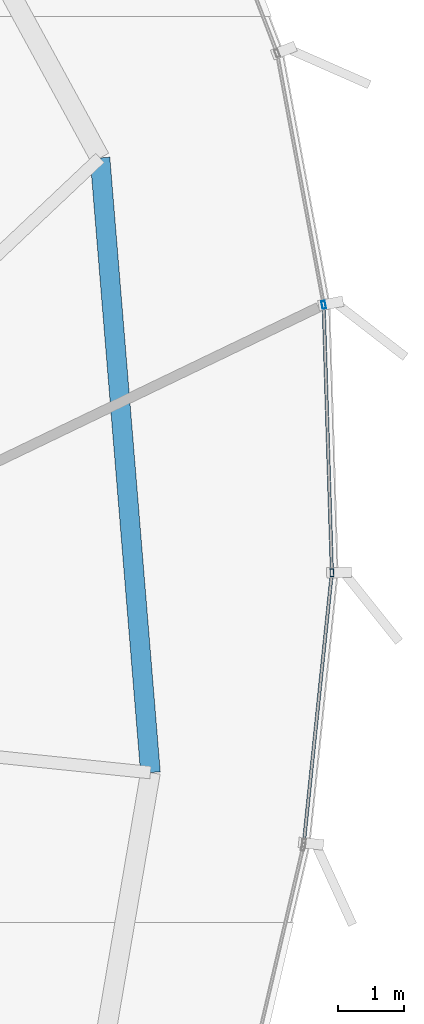
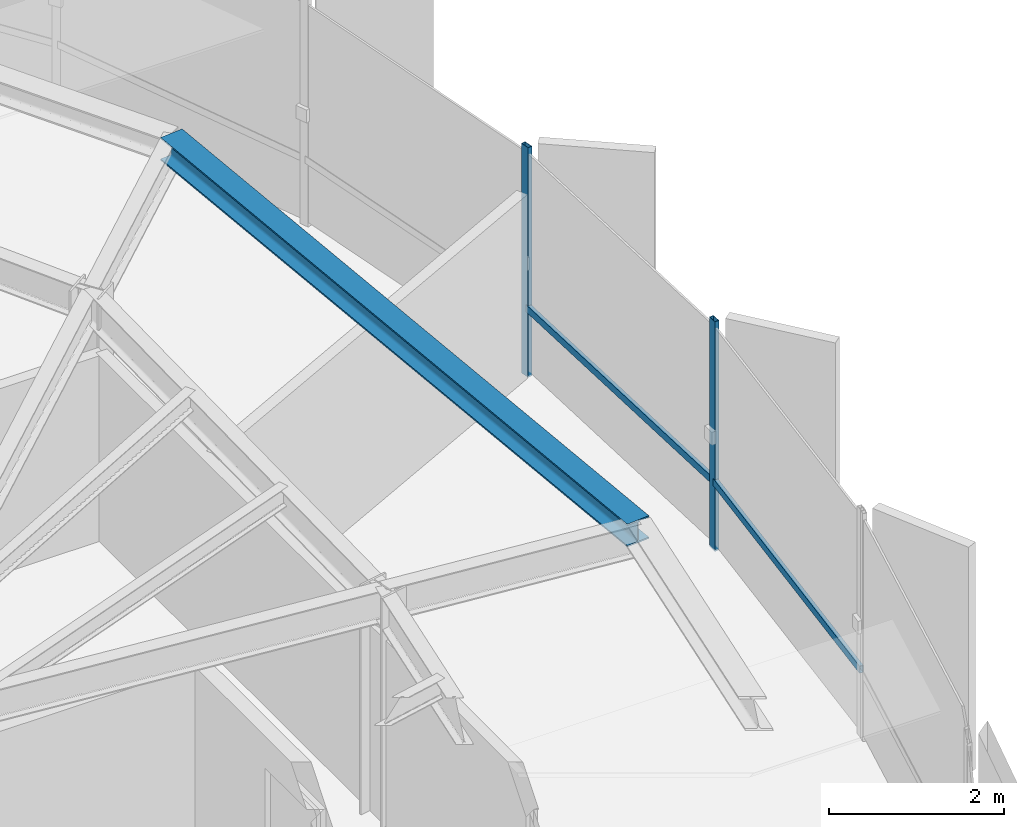
# One storey, part 16 of 33: 4 members, 1 beam, 1 element without a shape of its own.
"""IFC4 building model written with IfcOpenShell, lengths in metres."""

from ifc_helpers import new_model, si_unit, direction, frame, origin, origin_2d, place, context, subcontext, project, spatial, hollow_rectangle, i_section, extrude, source, transform, mapped, material, layer, layer_set, material_profile, profile_set, type_object, element, aggregate, save


model = new_model("IFC4")

# Units and contexts
model_context = context("Model", 3, precision=1e-05, world=origin(), true_north=direction((0.0, 1.0)))
body_context = subcontext(model_context, "Body", "Model", "MODEL_VIEW")
ifc_project = project(units=[si_unit("LENGTHUNIT", "METRE"), si_unit("AREAUNIT", "SQUARE_METRE"), si_unit("VOLUMEUNIT", "CUBIC_METRE"), si_unit("PLANEANGLEUNIT", "RADIAN"), si_unit("MASSUNIT", "GRAM", prefix="KILO"), si_unit("THERMODYNAMICTEMPERATUREUNIT", "KELVIN")], contexts=[model_context])

# Site, building, storey
site_placement = place(None, origin())
site = spatial("IfcSite", under=ifc_project, at=site_placement, CompositionType="ELEMENT")
building_placement = place(site_placement, origin())
building = spatial("IfcBuilding", under=site, at=building_placement, Name="Kethvar Cultural Tower", CompositionType="ELEMENT")
storey_placement = place(building_placement, frame((0.0, 0.0, 266.35009765625)))
storey = spatial("IfcBuildingStorey", under=building, at=storey_placement, Name="L70", CompositionType="ELEMENT", Elevation=266.35009765625)

# Beam
ifc_material_1 = material(Name="Steel S355J2", Category="steel")
ifc_material_profile_1 = material_profile(ifc_material_1, i_section(OverallWidth=0.300048828125, OverallDepth=0.320068359375, WebThickness=0.011474609375, FlangeThickness=0.0205078125, FilletRadius=0.027099609375, at=origin_2d()), Name="Steel S355J2 — HEB320")
ifc_profile_set_1 = profile_set([ifc_material_profile_1], Name="Steel S355J2 — HEB320")
beam_type = type_object("IfcBeamType", Name="BM-SP320", PredefinedType="SPANDREL", material=ifc_profile_set_1)
shared_shape_1 = source(origin(), body_context, "Body", "SweptSolid", [
    extrude(i_section(OverallWidth=0.300048828125, OverallDepth=0.320068359375, WebThickness=0.011474609375, FlangeThickness=0.0205078125, FilletRadius=0.027099609375, at=origin_2d()), origin(), (0.0, 0.0, 1.0), 9.388916015625),
])
beam_placement = place(storey_placement, frame((64.42041015625, 30.34521484375, 3.0478515625), z_axis=(-0.08178004371, 0.996650402323, 0.0), x_axis=(-0.996650402323, -0.08178004371, 0.0)))
element("IfcBeam", 1, at=beam_placement, inside=storey, type_object=beam_type, Name="L70 Perimeter Spandrel Beam SP-01", PredefinedType="SPANDREL", context=body_context, shape_type="MappedRepresentation", body=[
    mapped(shared_shape_1, transform((0.0, 0.0, 0.0), scale=1.0)),
])

# Curtain wall, members
ifc_material_2 = material(Name="Aluminium 6063-T6", Category="aluminium")
ifc_layer = layer(ifc_material_2, 0.179931640625, Name="Aluminium 6063-T6", Category="aluminium")
ifc_layer_set = layer_set([ifc_layer], Name="Aluminium 6063-T6 (180 mm)")
curtain_wall_type = type_object("IfcCurtainWallType", Name="CW-SYS-05-Z56", PredefinedType="NOTDEFINED", material=ifc_layer_set)
curtain_wall_placement = place(storey_placement, origin())
curtain_wall = element("IfcCurtainWall", 2, at=curtain_wall_placement, inside=storey, type_object=curtain_wall_type, Name="L70 Curtain Wall Run 06", PredefinedType="NOTDEFINED")
ifc_material_profile_2 = material_profile(ifc_material_2, hollow_rectangle(XDim=0.054931640625, YDim=0.1201171875, WallThickness=0.00390625, at=origin_2d()), Name="Aluminium 6063-T6 — RHS120x55x4")
ifc_profile_set_2 = profile_set([ifc_material_profile_2], Name="Aluminium 6063-T6 — RHS120x55x4")
member_type_1 = type_object("IfcMemberType", Name="CW-SYS-05-Z56-MUL", PredefinedType="MULLION", material=ifc_profile_set_2)
shared_shape_2 = source(origin(), body_context, "Body", "SweptSolid", [
    extrude(hollow_rectangle(XDim=0.054931640625, YDim=0.1201171875, WallThickness=0.00390625, at=origin_2d()), origin(), (0.0, 0.0, 1.0), 3.2099609375),
])
member_1_placement = place(storey_placement, frame((67.18310546875, 33.3876953125, 0.0), z_axis=(0.0, 0.0, 1.0), x_axis=(-0.999526099032, -0.030782744426, 0.0)))
member_1 = element("IfcMember", 3, at=member_1_placement, type_object=member_type_1, Name="CW-L70-R06 Mullion 2", PredefinedType="MULLION", context=body_context, shape_type="MappedRepresentation", body=[
    mapped(shared_shape_2, transform((0.0, 0.0, 0.0), scale=1.0)),
])
member_2_placement = place(storey_placement, frame((67.05859375, 37.467529296875, 0.0), z_axis=(0.0, 0.0, 1.0), x_axis=(-0.983200793916, -0.18252725507, 0.0)))
member_2 = element("IfcMember", 4, at=member_2_placement, type_object=member_type_1, Name="CW-L70-R06 Mullion 3", PredefinedType="MULLION", context=body_context, shape_type="MappedRepresentation", body=[
    mapped(shared_shape_2, transform((0.0, 0.0, 0.0), scale=1.0)),
])
ifc_material_profile_3 = material_profile(ifc_material_2, hollow_rectangle(XDim=0.050048828125, YDim=0.10009765625, WallThickness=0.00390625, at=origin_2d()), Name="Aluminium 6063-T6 — RHS100x50x4")
ifc_profile_set_3 = profile_set([ifc_material_profile_3], Name="Aluminium 6063-T6 — RHS100x50x4")
member_type_2 = type_object("IfcMemberType", Name="CW-SYS-05-Z56-TRN", PredefinedType="USERDEFINED", material=ifc_profile_set_3)
shared_shape_3 = source(origin(), body_context, "Body", "SweptSolid", [
    extrude(hollow_rectangle(XDim=0.050048828125, YDim=0.10009765625, WallThickness=0.00390625, at=origin_2d()), origin(), (0.0, 0.0, 1.0), 4.017822265625),
])
member_3_placement = place(storey_placement, frame((67.181884765625, 33.42724609375, 0.949951171875), z_axis=(-0.030747204063, 0.999527192948, 0.0), x_axis=(-0.999527192948, -0.030747204063, 0.0)))
member_3 = element("IfcMember", 5, at=member_3_placement, type_object=member_type_2, Name="CW-L70-R06 Transom 2", ObjectType="TRANSOM", PredefinedType="USERDEFINED", context=body_context, shape_type="MappedRepresentation", body=[
    mapped(shared_shape_3, transform((0.0, 0.0, 0.0), scale=1.0)),
])
shared_shape_4 = source(origin(), body_context, "Body", "SweptSolid", [
    extrude(hollow_rectangle(XDim=0.050048828125, YDim=0.10009765625, WallThickness=0.00390625, at=origin_2d()), origin(), (0.0, 0.0, 1.0), 4.105712890625),
])
member_4_placement = place(storey_placement, frame((66.756591796875, 29.278076171875, 0.949951171875), z_axis=(0.103053339837, 0.994675831187, 0.0), x_axis=(-0.994675831187, 0.103053339837, 0.0)))
member_4 = element("IfcMember", 6, at=member_4_placement, type_object=member_type_2, Name="CW-L70-R06 Transom 1", ObjectType="TRANSOM", PredefinedType="USERDEFINED", context=body_context, shape_type="MappedRepresentation", body=[
    mapped(shared_shape_4, transform((0.0, 0.0, 0.0), scale=1.0)),
])
aggregate(curtain_wall, [member_1, member_2, member_4, member_3])

save(model, "model.ifc")
